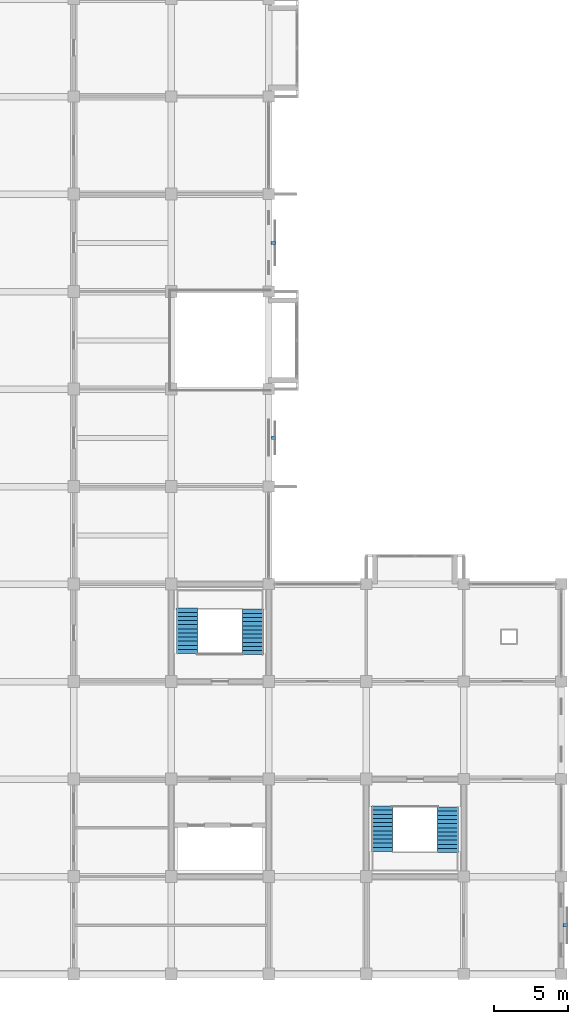
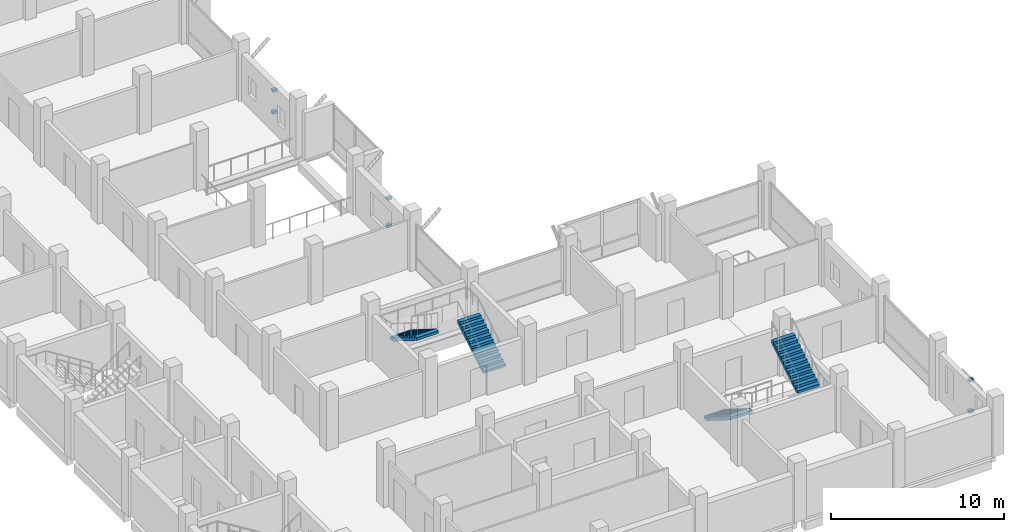
# One storey, part 11 of 14: 6 discrete accessories, 4 stair flights, 2 elements without a shape of their own.
"""IFC4 building model written with IfcOpenShell, lengths in metres."""

from ifc_helpers import new_model, si_unit, direction, frame, origin, origin_2d, place, context, subcontext, project, spatial, polyline, rectangle, outline, extrude, material, type_object, element, aggregate, save


model = new_model("IFC4")

# Units and contexts
model_context = context("Model", 3, precision=1e-05, world=origin(), true_north=direction((0.0, 1.0)))
body_context = subcontext(model_context, "Body", "Model", "MODEL_VIEW")
ifc_project = project(units=[si_unit("LENGTHUNIT", "METRE"), si_unit("AREAUNIT", "SQUARE_METRE"), si_unit("VOLUMEUNIT", "CUBIC_METRE"), si_unit("PLANEANGLEUNIT", "RADIAN"), si_unit("MASSUNIT", "GRAM", prefix="KILO")], contexts=[model_context])

# Site, building, storey
site_placement = place(None, origin())
site = spatial("IfcSite", under=ifc_project, at=site_placement, CompositionType="ELEMENT")
building_placement = place(site_placement, origin())
building = spatial("IfcBuilding", under=site, at=building_placement, Name="Rusizi Kubbe Research Institute", CompositionType="ELEMENT")
storey_placement = place(building_placement, frame((0.0, 0.0, 31.199951171875)))
storey = spatial("IfcBuildingStorey", under=building, at=storey_placement, Name="L07", CompositionType="ELEMENT", Elevation=31.199951171875)

# Stair, stair flights
ifc_material_1 = material(Name="Concrete C40/50", Category="concrete")
stair_type = type_object("IfcStairType", Name="ST-H420B", PredefinedType="HALF_TURN_STAIR", material=ifc_material_1)
stair_1_placement = place(storey_placement, origin())
stair_1 = element("IfcStair", 1, at=stair_1_placement, inside=storey, type_object=stair_type, Name="Protected Exit Stair ST3 (L07)", PredefinedType="HALF_TURN_STAIR")
ifc_material_2 = material(Name="Concrete C40/50", Category="concrete")
stair_flight_type = type_object("IfcStairFlightType", Name="FL-H420B", PredefinedType="STRAIGHT", material=ifc_material_2)
stair_flight_1_placement = place(storey_placement, frame((25.324951171875, 21.6201171875, 0.0), z_axis=(0.0, 0.0, 1.0), x_axis=(0.0, 1.0, 0.0)))
stair_flight_1 = element("IfcStairFlight", 2, at=stair_flight_1_placement, type_object=stair_flight_type, Name="ST3 flight 1", NumberOfRisers=12, NumberOfTreads=11, PredefinedType="STRAIGHT", RiserHeight=0.175, TreadLength=0.28, context=body_context, shape_type="SweptSolid", body=[
    extrude(outline(polyline([(0.0, 0.0), (0.0, 0.175048828125), (0.280029296875, 0.175048828125), (0.280029296875, 0.35009765625), (0.56005859375, 0.35009765625), (0.56005859375, 0.52490234375), (0.840087890625, 0.52490234375), (0.840087890625, 0.699951171875), (1.1201171875, 0.699951171875), (1.1201171875, 0.875), (1.39990234375, 0.875), (1.39990234375, 1.050048828125), (1.679931640625, 1.050048828125), (1.679931640625, 1.22509765625), (1.9599609375, 1.22509765625), (1.9599609375, 1.39990234375), (2.239990234375, 1.39990234375), (2.239990234375, 1.574951171875), (2.52001953125, 1.574951171875), (2.52001953125, 1.75), (2.800048828125, 1.75), (2.800048828125, 1.925048828125), (3.080078125, 1.925048828125), (3.080078125, 2.10009765625), (3.080078125, 1.736328125), (0.3017578125, 0.0), (0.0, 0.0)])), frame((0.0, 0.72509765625, 0.0), z_axis=(0.0, -1.0, 0.0), x_axis=(1.0, 0.0, 0.0)), (0.0, 0.0, 1.0), 1.449951171875),
])
stair_flight_2_placement = place(storey_placement, frame((20.875, 24.77392578125, 2.10009765625), z_axis=(0.0, 0.0, 1.0), x_axis=(0.0, -1.0, 0.0)))
stair_flight_2 = element("IfcStairFlight", 3, at=stair_flight_2_placement, type_object=stair_flight_type, Name="ST3 flight 2", NumberOfRisers=12, NumberOfTreads=11, PredefinedType="STRAIGHT", RiserHeight=0.175, TreadLength=0.28, context=body_context, shape_type="SweptSolid", body=[
    extrude(outline(polyline([(0.0, 0.0), (0.0, 0.175048828125), (0.280029296875, 0.175048828125), (0.280029296875, 0.35009765625), (0.56005859375, 0.35009765625), (0.56005859375, 0.52490234375), (0.840087890625, 0.52490234375), (0.840087890625, 0.699951171875), (1.1201171875, 0.699951171875), (1.1201171875, 0.875), (1.39990234375, 0.875), (1.39990234375, 1.050048828125), (1.679931640625, 1.050048828125), (1.679931640625, 1.22509765625), (1.9599609375, 1.22509765625), (1.9599609375, 1.39990234375), (2.239990234375, 1.39990234375), (2.239990234375, 1.574951171875), (2.52001953125, 1.574951171875), (2.52001953125, 1.75), (2.800048828125, 1.75), (2.800048828125, 1.925048828125), (3.080078125, 1.925048828125), (3.080078125, 2.10009765625), (3.080078125, 1.736328125), (0.3017578125, 0.0), (0.0, 0.0)])), frame((0.0, 0.72509765625, 0.0), z_axis=(0.0, -1.0, 0.0), x_axis=(1.0, 0.0, 0.0)), (0.0, 0.0, 1.0), 1.449951171875),
])
aggregate(stair_1, [stair_flight_1, stair_flight_2])

stair_2_placement = place(storey_placement, origin())
stair_2 = element("IfcStair", 4, at=stair_2_placement, inside=storey, type_object=stair_type, Name="Protected Exit Stair ST4 (L07)", PredefinedType="HALF_TURN_STAIR")
stair_flight_3_placement = place(storey_placement, frame((34.074951171875, 11.3798828125, 0.0), z_axis=(0.0, 0.0, 1.0), x_axis=(0.0, -1.0, 0.0)))
stair_flight_3 = element("IfcStairFlight", 5, at=stair_flight_3_placement, type_object=stair_flight_type, Name="ST4 flight 1", NumberOfRisers=12, NumberOfTreads=11, PredefinedType="STRAIGHT", RiserHeight=0.175, TreadLength=0.28, context=body_context, shape_type="SweptSolid", body=[
    extrude(outline(polyline([(0.0, 0.0), (0.0, 0.175048828125), (0.280029296875, 0.175048828125), (0.280029296875, 0.35009765625), (0.56005859375, 0.35009765625), (0.56005859375, 0.52490234375), (0.840087890625, 0.52490234375), (0.840087890625, 0.699951171875), (1.1201171875, 0.699951171875), (1.1201171875, 0.875), (1.39990234375, 0.875), (1.39990234375, 1.050048828125), (1.679931640625, 1.050048828125), (1.679931640625, 1.22509765625), (1.9599609375, 1.22509765625), (1.9599609375, 1.39990234375), (2.239990234375, 1.39990234375), (2.239990234375, 1.574951171875), (2.52001953125, 1.574951171875), (2.52001953125, 1.75), (2.800048828125, 1.75), (2.800048828125, 1.925048828125), (3.080078125, 1.925048828125), (3.080078125, 2.10009765625), (3.080078125, 1.736328125), (0.3017578125, 0.0), (0.0, 0.0)])), frame((0.0, 0.72509765625, 0.0), z_axis=(0.0, -1.0, 0.0), x_axis=(1.0, 0.0, 0.0)), (0.0, 0.0, 1.0), 1.449951171875),
])
stair_flight_4_placement = place(storey_placement, frame((38.52490234375, 8.22607421875, 2.10009765625), z_axis=(0.0, 0.0, 1.0), x_axis=(0.0, 1.0, 0.0)))
stair_flight_4 = element("IfcStairFlight", 6, at=stair_flight_4_placement, type_object=stair_flight_type, Name="ST4 flight 2", NumberOfRisers=12, NumberOfTreads=11, PredefinedType="STRAIGHT", RiserHeight=0.175, TreadLength=0.28, context=body_context, shape_type="SweptSolid", body=[
    extrude(outline(polyline([(0.0, 0.0), (0.0, 0.175048828125), (0.280029296875, 0.175048828125), (0.280029296875, 0.35009765625), (0.56005859375, 0.35009765625), (0.56005859375, 0.52490234375), (0.840087890625, 0.52490234375), (0.840087890625, 0.699951171875), (1.1201171875, 0.699951171875), (1.1201171875, 0.875), (1.39990234375, 0.875), (1.39990234375, 1.050048828125), (1.679931640625, 1.050048828125), (1.679931640625, 1.22509765625), (1.9599609375, 1.22509765625), (1.9599609375, 1.39990234375), (2.239990234375, 1.39990234375), (2.239990234375, 1.574951171875), (2.52001953125, 1.574951171875), (2.52001953125, 1.75), (2.800048828125, 1.75), (2.800048828125, 1.925048828125), (3.080078125, 1.925048828125), (3.080078125, 2.10009765625), (3.080078125, 1.736328125), (0.3017578125, 0.0), (0.0, 0.0)])), frame((0.0, 0.72509765625, 0.0), z_axis=(0.0, -1.0, 0.0), x_axis=(1.0, 0.0, 0.0)), (0.0, 0.0, 1.0), 1.449951171875),
])
aggregate(stair_2, [stair_flight_3, stair_flight_4])

# Discrete accessories
ifc_material_3 = material(Name="Steel S355", Category="steel")
discrete_accessory_type = type_object("IfcDiscreteAccessoryType", Name="BK-01", PredefinedType="BRACKET", material=ifc_material_3)
for number, where, z_axis, x_axis, name in (
    (7, (26.719970703125, 36.300048828125, 0.740234375), (0.0, 0.0, 1.0), (1.0, 0.0, 0.0), "Solar Screen Bracket 57-1"),
    (8, (26.719970703125, 36.300048828125, 2.66015625), (0.0, 0.0, 1.0), (1.0, 0.0, 0.0), "Solar Screen Bracket 57-2"),
    (9, (26.702392578125, 49.5, 0.740234375), (0.0, 0.0, 1.0), (1.0, 0.0, 0.0), "Solar Screen Bracket 58-1"),
    (10, (26.702392578125, 49.5, 2.2802734375), (0.0, 0.0, 1.0), (1.0, 0.0, 0.0), "Solar Screen Bracket 58-2"),
    (11, (46.472412109375, 3.300048828125, 0.740234375), (0.0, 0.0, 1.0), (1.0, 0.0, 0.0), "Solar Screen Bracket 60-1"),
    (12, (46.472412109375, 3.300048828125, 2.93994140625), (0.0, 0.0, 1.0), (1.0, 0.0, 0.0), "Solar Screen Bracket 60-2"),
):
    element("IfcDiscreteAccessory", number, at=place(storey_placement, frame(where, z_axis=z_axis, x_axis=x_axis)), inside=storey, type_object=discrete_accessory_type, Name=name, PredefinedType="BRACKET", context=body_context, shape_type="SweptSolid", body=[
        extrude(rectangle(XDim=0.300048828125, YDim=0.219970703125, at=origin_2d()), origin(), (0.0, 0.0, 1.0), 0.179931640625),
    ])

save(model, "model.ifc")
